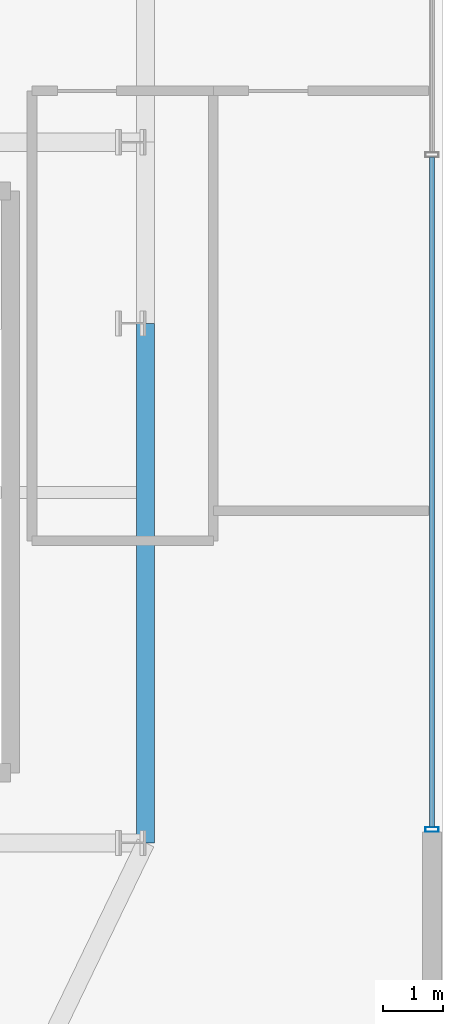
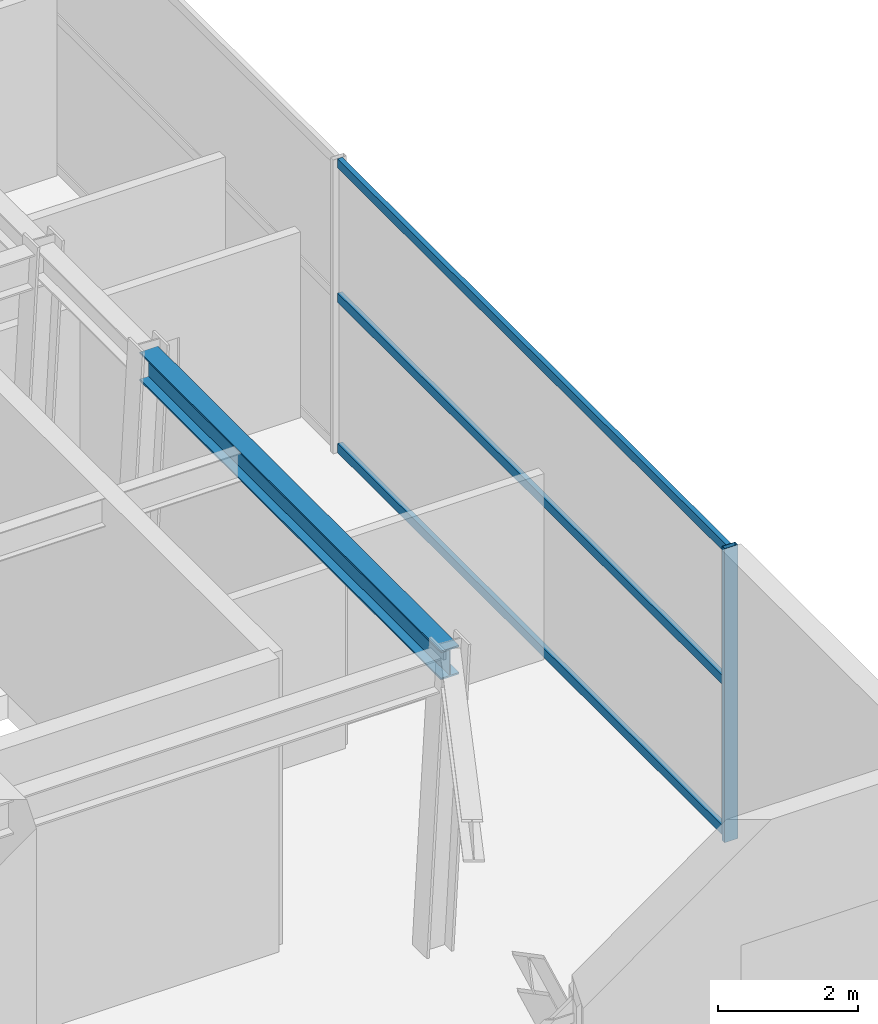
# One storey, part 9 of 29: 4 members, 1 beam, 1 element without a shape of its own.
"""IFC4 building model written with IfcOpenShell, lengths in metres."""

from ifc_helpers import new_model, si_unit, direction, frame, origin, origin_2d, place, context, subcontext, project, spatial, hollow_rectangle, i_section, extrude, source, transform, mapped, material, material_profile, profile_set, type_object, element, aggregate, save


model = new_model("IFC4")

# Units and contexts
model_context = context("Model", 3, precision=1e-05, world=origin(), true_north=direction((0.0, 1.0)))
body_context = subcontext(model_context, "Body", "Model", "MODEL_VIEW")
ifc_project = project(units=[si_unit("LENGTHUNIT", "METRE"), si_unit("AREAUNIT", "SQUARE_METRE"), si_unit("VOLUMEUNIT", "CUBIC_METRE"), si_unit("PLANEANGLEUNIT", "RADIAN"), si_unit("MASSUNIT", "GRAM", prefix="KILO")], contexts=[model_context])

# Site, building, storey
site_placement = place(None, origin())
site = spatial("IfcSite", under=ifc_project, at=site_placement, CompositionType="ELEMENT")
building_placement = place(site_placement, origin())
building = spatial("IfcBuilding", under=site, at=building_placement, Name="Nahalor Promenade Grand Hotel", CompositionType="ELEMENT")
storey_placement = place(building_placement, frame((0.0, 0.0, 27.0)))
storey = spatial("IfcBuildingStorey", under=building, at=storey_placement, Name="L05", CompositionType="ELEMENT", Elevation=27.0)

# Beam
ifc_material_1 = material(Name="Steel S355JR", Category="steel")
ifc_material_profile_1 = material_profile(ifc_material_1, i_section(OverallWidth=0.3, OverallDepth=0.5, WebThickness=0.0145, FlangeThickness=0.028, at=origin_2d()), Name="HEB 500")
ifc_profile_set_1 = profile_set([ifc_material_profile_1], Name="Steel S355JR")
beam_type = type_object("IfcBeamType", Name="Beam-Spandrel-HEB500", PredefinedType="SPANDREL", material=ifc_profile_set_1)
shared_shape_1 = source(origin(), body_context, "Body", "SweptSolid", [
    extrude(i_section(OverallWidth=0.3, OverallDepth=0.5, WebThickness=0.0145, FlangeThickness=0.028, at=origin_2d()), origin(), (0.0, 0.0, 1.0), 8.60009765625),
])
beam_placement = place(storey_placement, frame((25.080078125, -17.0, 4.8701171875), z_axis=(0.0, 1.0, 0.0), x_axis=(-1.0, 0.0, 0.0)))
element("IfcBeam", 1, at=beam_placement, inside=storey, type_object=beam_type, Name="BM-L05-SP-E-0", PredefinedType="SPANDREL", context=body_context, shape_type="MappedRepresentation", body=[
    mapped(shared_shape_1, transform((0.0, 0.0, 0.0), scale=1.0)),
])

# Curtain wall, members
ifc_material_2 = material(Name="Anodised Bronze Aluminium EN AW-6063 T6", Category="aluminium")
curtain_wall_type = type_object("IfcCurtainWallType", Name="CW1 Waterfront Podium Bronze Arcade Curtain Wall", PredefinedType="USERDEFINED", material=ifc_material_2)
curtain_wall_placement = place(storey_placement, origin())
curtain_wall = element("IfcCurtainWall", 2, at=curtain_wall_placement, inside=storey, type_object=curtain_wall_type, Name="L05 Curtain Wall CW-L05-E", ObjectType="UNITISED_CURTAIN_WALL", PredefinedType="USERDEFINED")
ifc_material_profile_2 = material_profile(ifc_material_2, hollow_rectangle(XDim=0.08, YDim=0.22, WallThickness=0.005, at=origin_2d()), Name="CWM 80x220x5")
ifc_profile_set_2 = profile_set([ifc_material_profile_2], Name="Anodised Bronze Aluminium EN AW-6063 T6")
member_type_1 = type_object("IfcMemberType", Name="CWM1 Podium Bronze Mullion 80x220", PredefinedType="MULLION", material=ifc_profile_set_2)
shared_shape_2 = source(origin(), body_context, "Body", "SweptSolid", [
    extrude(hollow_rectangle(XDim=0.08, YDim=0.22, WallThickness=0.005, at=origin_2d()), origin(), (0.0, 0.0, 1.0), 5.1201171875),
])
member_1_placement = place(storey_placement, frame((29.820068359375, -16.780029296875, 0.0), z_axis=(0.0, 0.0, 1.0), x_axis=(0.0, 1.0, 0.0)))
member_1 = element("IfcMember", 3, at=member_1_placement, type_object=member_type_1, Name="CW-L05-E Mullion 0", PredefinedType="MULLION", context=body_context, shape_type="MappedRepresentation", body=[
    mapped(shared_shape_2, transform((0.0, 0.0, 0.0), scale=1.0)),
])
ifc_material_profile_3 = material_profile(ifc_material_2, hollow_rectangle(XDim=0.08, YDim=0.16, WallThickness=0.004, at=origin_2d()), Name="CWT 80x160x4")
ifc_profile_set_3 = profile_set([ifc_material_profile_3], Name="Anodised Bronze Aluminium EN AW-6063 T6")
member_type_2 = type_object("IfcMemberType", Name="CWT1 Podium Bronze Transom 80x160", PredefinedType="USERDEFINED", material=ifc_profile_set_3)
shared_shape_3 = source(origin(), body_context, "Body", "SweptSolid", [
    extrude(hollow_rectangle(XDim=0.08, YDim=0.16, WallThickness=0.004, at=origin_2d()), origin(), (0.0, 0.0, 1.0), 11.09326171875),
])
member_2_placement = place(storey_placement, frame((29.820068359375, -16.739990234375, 0.080078125), z_axis=(0.0, 1.0, 0.0), x_axis=(-1.0, 0.0, 0.0)))
member_2 = element("IfcMember", 4, at=member_2_placement, type_object=member_type_2, Name="CW-L05-E Transom 0-0", ObjectType="TRANSOM", PredefinedType="USERDEFINED", context=body_context, shape_type="MappedRepresentation", body=[
    mapped(shared_shape_3, transform((0.0, 0.0, 0.0), scale=1.0)),
])
member_3_placement = place(storey_placement, frame((29.820068359375, -16.739990234375, 2.699951171875), z_axis=(0.0, 1.0, 0.0), x_axis=(-1.0, 0.0, 0.0)))
member_3 = element("IfcMember", 5, at=member_3_placement, type_object=member_type_2, Name="CW-L05-E Transom 0-1", ObjectType="TRANSOM", PredefinedType="USERDEFINED", context=body_context, shape_type="MappedRepresentation", body=[
    mapped(shared_shape_3, transform((0.0, 0.0, 0.0), scale=1.0)),
])
member_4_placement = place(storey_placement, frame((29.820068359375, -16.739990234375, 5.0400390625), z_axis=(0.0, 1.0, 0.0), x_axis=(-1.0, 0.0, 0.0)))
member_4 = element("IfcMember", 6, at=member_4_placement, type_object=member_type_2, Name="CW-L05-E Transom 0-2", ObjectType="TRANSOM", PredefinedType="USERDEFINED", context=body_context, shape_type="MappedRepresentation", body=[
    mapped(shared_shape_3, transform((0.0, 0.0, 0.0), scale=1.0)),
])
aggregate(curtain_wall, [member_1, member_2, member_3, member_4])

save(model, "model.ifc")
